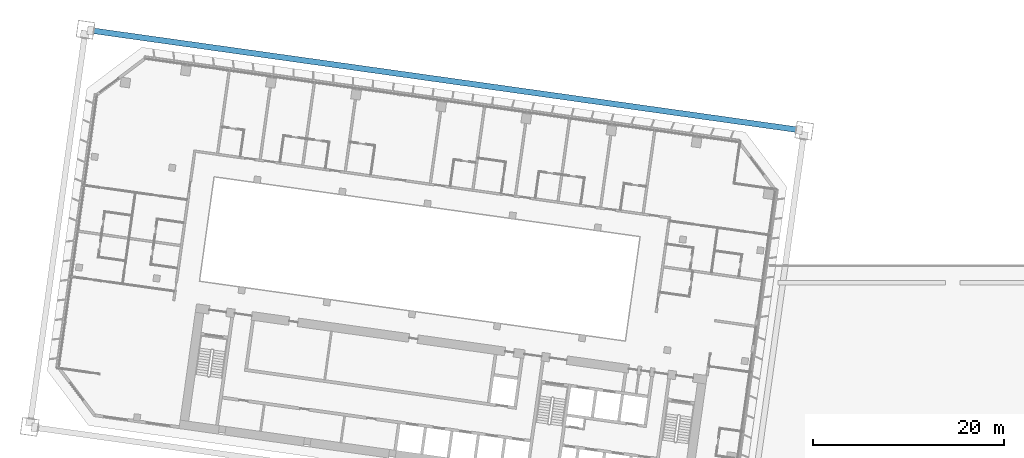
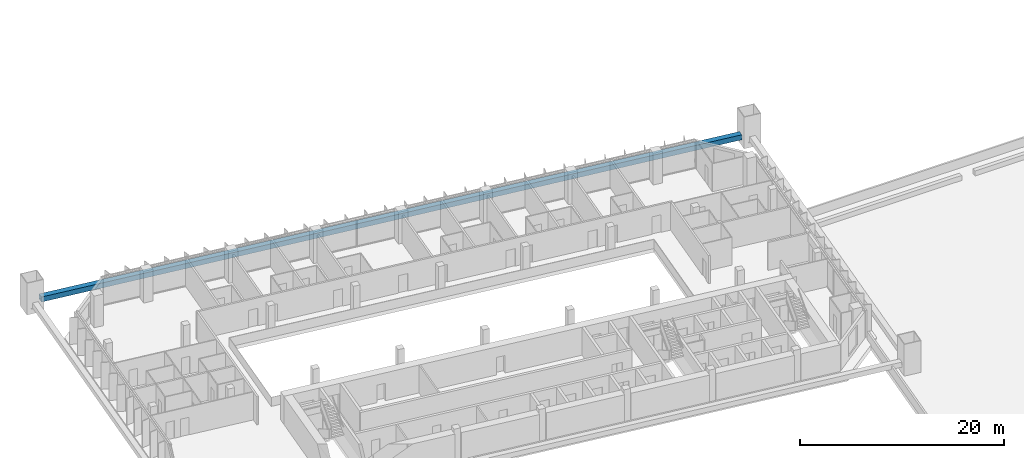
# One storey, part 9 of 46: 1 member.
"""IFC4 building model written with IfcOpenShell, lengths in metres."""

import ifcopenshell
import ifcopenshell.guid

model = None  # the IFC model being written
_history = None  # IfcOwnerHistory: only IFC2X3 demands one
_inside = {}  # id of a spatial element -> (the spatial element, [elements in it])
_under = {}  # id of a project, library or spatial element -> (it, [spatial elements below it])
_declared = {}  # id of a project -> (the project, [libraries it declares])
_typed = {}  # id of a type object -> (the type object, [elements of that type])
_made_of = {}  # id of a material, layer set ... -> (it, [elements and type objects made of it])


def new_model(schema):
    """Start an empty IFC model of exactly this schema.

    Asked for "IFC4X3", IfcOpenShell would pick the latest addendum, in which some entities
    have other attributes; the version numbers below select the first issue.
    IFC2X3 requires an IfcOwnerHistory on every rooted entity: one is made here for all.
    """
    global model, _history
    if schema == "IFC4X3":
        model = ifcopenshell.file(schema_version=(4, 3, 0, 0))
    else:
        model = ifcopenshell.file(schema=schema)
    _inside.clear()
    _under.clear()
    _declared.clear()
    _typed.clear()
    _made_of.clear()
    _history = None
    if model.schema == "IFC2X3":
        org = make("IfcOrganization", Name="unknown")
        user = make(
            "IfcPersonAndOrganization",
            ThePerson=make("IfcPerson", FamilyName="unknown"),
            TheOrganization=org,
        )
        app = make(
            "IfcApplication",
            ApplicationDeveloper=org,
            Version="unknown",
            ApplicationFullName="unknown",
            ApplicationIdentifier="unknown",
        )
        _history = make(
            "IfcOwnerHistory",
            OwningUser=user,
            OwningApplication=app,
            ChangeAction="ADDED",
            CreationDate=0,
        )
    return model


def make(cls, **values):
    """One entity of the class cls with the attributes given. An attribute that is None is left unset."""
    return model.create_entity(
        cls, **{name: value for name, value in values.items() if value is not None}
    )


def rooted(cls, **values):
    """An entity with a GlobalId (a new one), such as an element, a storey or a relation."""
    return make(cls, GlobalId=ifcopenshell.guid.new(), OwnerHistory=_history, **values)


def si_unit(unit_type, name, prefix=None):
    """IfcSIUnit, for example si_unit("LENGTHUNIT", "METRE", prefix="MILLI")."""
    return make("IfcSIUnit", UnitType=unit_type, Prefix=prefix, Name=name)


def assignment(units):
    """IfcUnitAssignment: the units of a project."""
    return None if units is None else make("IfcUnitAssignment", Units=units)


def point(xyz):
    """IfcCartesianPoint."""
    return None if xyz is None else make("IfcCartesianPoint", Coordinates=xyz)


def direction(xyz):
    """IfcDirection."""
    return None if xyz is None else make("IfcDirection", DirectionRatios=xyz)


def frame(location, z_axis=None, x_axis=None):
    """IfcAxis2Placement3D, a coordinate frame: its origin and axes. An axis left out is left unset."""
    return make(
        "IfcAxis2Placement3D",
        Location=point(location),
        Axis=direction(z_axis),
        RefDirection=direction(x_axis),
    )


def frame_2d(location, x_axis=None):
    """IfcAxis2Placement2D, a coordinate frame in the plane: its origin and x axis."""
    return make(
        "IfcAxis2Placement2D", Location=point(location), RefDirection=direction(x_axis)
    )


def origin():
    """The frame at (0, 0, 0) with its axes left unset."""
    return frame((0.0, 0.0, 0.0))


def origin_2d():
    """The frame at (0, 0) in the plane with its x axis left unset."""
    return frame_2d((0.0, 0.0))


def place(relative_to, where):
    """IfcLocalPlacement: puts the frame where relative to a parent placement (None: the world)."""
    return make(
        "IfcLocalPlacement", PlacementRelTo=relative_to, RelativePlacement=where
    )


def context(
    kind, dimensions, precision=None, world=None, true_north=None, identifier=None
):
    """IfcGeometricRepresentationContext, for example the 3D "Model" context."""
    return make(
        "IfcGeometricRepresentationContext",
        ContextIdentifier=identifier,
        ContextType=kind,
        CoordinateSpaceDimension=dimensions,
        Precision=precision,
        WorldCoordinateSystem=world,
        TrueNorth=true_north,
    )


def subcontext(parent, identifier, kind, view, scale=None):
    """IfcGeometricRepresentationSubContext, for example "Body" below "Model"."""
    return make(
        "IfcGeometricRepresentationSubContext",
        ContextIdentifier=identifier,
        ContextType=kind,
        ParentContext=parent,
        TargetScale=scale,
        TargetView=view,
    )


def project(units=None, contexts=None):
    """IfcProject with its units and contexts."""
    return rooted(
        "IfcProject",
        Name="project",
        RepresentationContexts=contexts,
        UnitsInContext=assignment(units),
    )


def spatial(cls, under=None, at=None, **own):
    """A site, building, storey or space (cls), placed at a placement, below another one or the project."""
    s = rooted(cls, ObjectPlacement=at, **own)
    if under is not None:
        _under.setdefault(under.id(), (under, []))[1].append(s)
    return s


def profile(cls, at=None, kind="AREA", **sizes):
    """A parametric profile (cls). Its sizes go by their IFC names, for example OverallWidth=200.0."""
    return make(cls, ProfileType=kind, Position=at, **sizes)


def hollow_rectangle(**sizes):
    """IfcRectangleHollowProfileDef."""
    return profile("IfcRectangleHollowProfileDef", **sizes)


def extrude(swept, where, along, depth):
    """IfcExtrudedAreaSolid: the profile swept, set in the frame where, extruded along a direction by depth."""
    return make(
        "IfcExtrudedAreaSolid",
        SweptArea=swept,
        Position=where,
        ExtrudedDirection=direction(along),
        Depth=depth,
    )


def shape(context_of_items, identifier, shape_type, items):
    """IfcShapeRepresentation: the items that make up one representation, for example the "Body"."""
    return make(
        "IfcShapeRepresentation",
        ContextOfItems=context_of_items,
        RepresentationIdentifier=identifier,
        RepresentationType=shape_type,
        Items=items,
    )


def material(Name=None, Category=None):
    """IfcMaterial."""
    return make("IfcMaterial", Name=Name, Category=Category)


def material_profile(
    of_material, cross_section, Name=None, Category=None, Priority=None
):
    """IfcMaterialProfile: a cross section and its material."""
    return make(
        "IfcMaterialProfile",
        Name=Name,
        Material=of_material,
        Profile=cross_section,
        Priority=Priority,
        Category=Category,
    )


def profile_set(profiles, Name=None, composite=None):
    """IfcMaterialProfileSet."""
    return make(
        "IfcMaterialProfileSet",
        Name=Name,
        MaterialProfiles=profiles,
        CompositeProfile=composite,
    )


def made_of(thing, what):
    """Note that an element or type object is made of a material, layer set ...; save() writes the relation."""
    if what is not None:
        _made_of.setdefault(what.id(), (what, []))[1].append(thing)
    return thing


def type_object(cls, material=None, **own):
    """A type object (cls), such as IfcWallType, which elements share."""
    return made_of(rooted(cls, **own), material)


def element(
    cls,
    number,
    at=None,
    inside=None,
    cuts=None,
    type_object=None,
    material=None,
    context=None,
    identifier="Body",
    shape_type=None,
    held_by="IfcProductDefinitionShape",
    body=None,
    shapes=None,
    **own,
):
    """One element of the class cls, such as IfcWall. Its Tag is "e" and its number.

    at: its placement. inside: the storey or other place that contains it. cuts: it is an
    opening in that element (IfcRelVoidsElement). A single representation is given by context,
    identifier, shape_type and body (its items); several are given by shapes. held_by: the class
    of the entity that holds the representations. save() writes the other relations.
    """
    e = rooted(cls, Tag="e%d" % number, ObjectPlacement=at, **own)
    if body is not None:
        shapes = [shape(context, identifier, shape_type, body)]
    if shapes is not None:
        e.Representation = make(held_by, Representations=shapes)
    if inside is not None:
        _inside.setdefault(inside.id(), (inside, []))[1].append(e)
    if cuts is not None:
        rooted(
            "IfcRelVoidsElement", RelatingBuildingElement=cuts, RelatedOpeningElement=e
        )
    if type_object is not None:
        _typed.setdefault(type_object.id(), (type_object, []))[1].append(e)
    return made_of(e, material)


def aggregate(whole, parts):
    """IfcRelAggregates: a whole, such as a stair, and the parts it consists of."""
    return rooted("IfcRelAggregates", RelatingObject=whole, RelatedObjects=parts)


def save(model, path):
    """Write the relations noted so far, then the file.

    IfcRelAggregates (storeys below a building ...), IfcRelContainedInSpatialStructure (elements
    in a storey), IfcRelDefinesByType, IfcRelAssociatesMaterial and IfcRelDeclares: one each for
    every whole, place, type object, material and project.
    """
    for whole, parts in _under.values():
        aggregate(whole, parts)
    for where, things in _inside.values():
        rooted(
            "IfcRelContainedInSpatialStructure",
            RelatedElements=things,
            RelatingStructure=where,
        )
    for kind, things in _typed.values():
        rooted("IfcRelDefinesByType", RelatedObjects=things, RelatingType=kind)
    for what, things in _made_of.values():
        rooted("IfcRelAssociatesMaterial", RelatedObjects=things, RelatingMaterial=what)
    for by, libraries in _declared.values():
        rooted("IfcRelDeclares", RelatingContext=by, RelatedDefinitions=libraries)
    model.write(path)


model = new_model("IFC4")

# Units and contexts
model_context = context("Model", 3, precision=1e-05, world=origin(), true_north=direction((0.0, 1.0)))
body_context = subcontext(model_context, "Body", "Model", "MODEL_VIEW")
ifc_project = project(units=[si_unit("LENGTHUNIT", "METRE"), si_unit("AREAUNIT", "SQUARE_METRE"), si_unit("VOLUMEUNIT", "CUBIC_METRE"), si_unit("PLANEANGLEUNIT", "RADIAN"), si_unit("MASSUNIT", "GRAM", prefix="KILO")], contexts=[model_context])

# Site, building, storey
site_placement = place(None, origin())
site = spatial("IfcSite", under=ifc_project, at=site_placement, CompositionType="ELEMENT")
building_placement = place(site_placement, origin())
building = spatial("IfcBuilding", under=site, at=building_placement, Name="Mirante Cascada Hotel Towers", CompositionType="ELEMENT")
storey_placement = place(building_placement, frame((0.0, 0.0, 39.5)))
storey = spatial("IfcBuildingStorey", under=building, at=storey_placement, Name="L06", CompositionType="ELEMENT", Elevation=39.5)

# Member
ifc_material = material(Name="Steel ASTM A572 Gr 50", Category="steel")
ifc_material_profile = material_profile(ifc_material, hollow_rectangle(XDim=0.6, YDim=0.6, WallThickness=0.04, at=origin_2d()), Name="Box chord 600x600x40 ASTM A572 Gr 50")
ifc_profile_set = profile_set([ifc_material_profile], Name="Steel ASTM A572 Gr 50")
member_type = type_object("IfcMemberType", Name="Box chord 600x600x40 ASTM A572 Gr 50", PredefinedType="CHORD", material=ifc_profile_set)
member_placement = place(storey_placement, frame((-25.9683, 18.6398, 1.0), z_axis=(-0.9902681, 0.139173, 0.0), x_axis=(-0.139173, -0.9902681, 0.0)))
element("IfcMember", 1, at=member_placement, inside=storey, type_object=member_type, Name="exochord T1 L06 1", PredefinedType="CHORD", context=body_context, shape_type="SweptSolid", body=[
    extrude(hollow_rectangle(XDim=0.6, YDim=0.6, WallThickness=0.04, at=origin_2d()), origin(), (0.0, 0.0, 1.0), 74.24),
])

save(model, "model.ifc")
